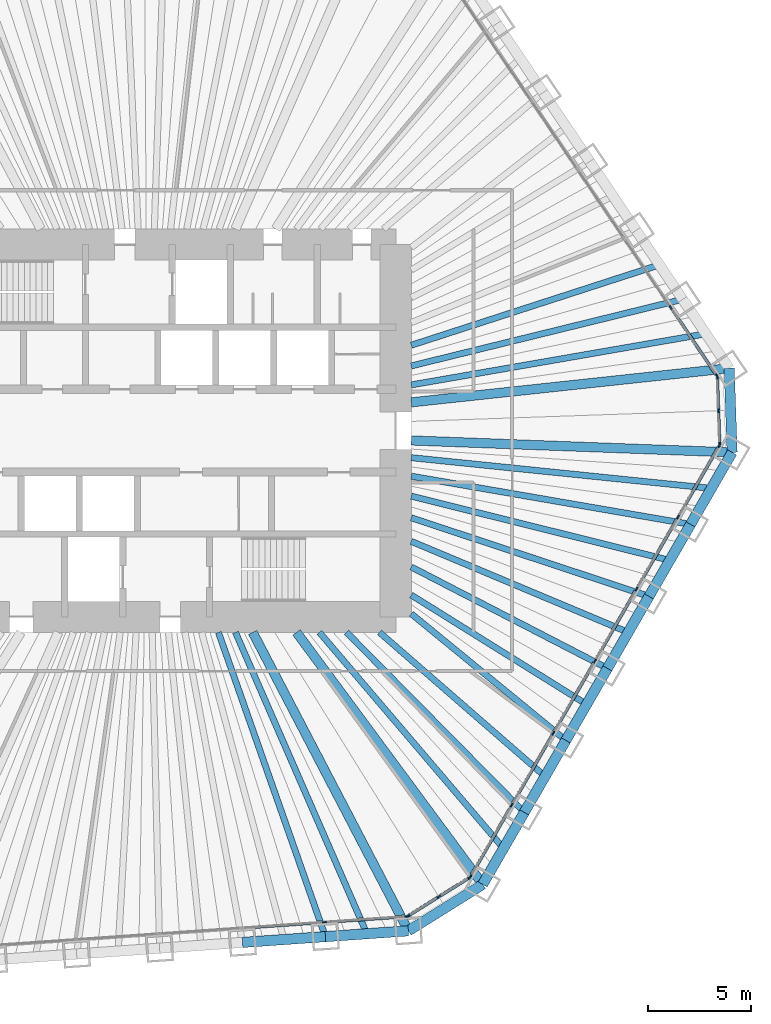
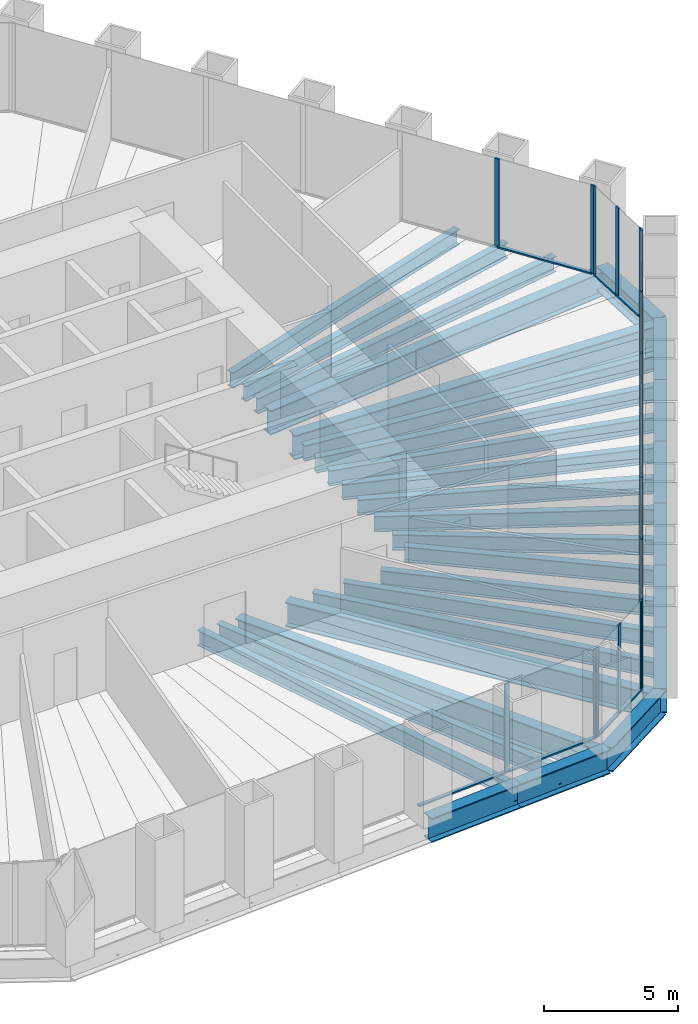
# One storey, part 4 of 13: 30 beams, 30 members, 5 elements without a shape of their own.
"""IFC4 building model written with IfcOpenShell, lengths in metres."""

from ifc_helpers import new_model, si_unit, direction, frame, origin, origin_2d, place, context, subcontext, project, spatial, rectangle, i_section, extrude, material, material_profile, profile_set, type_object, element, aggregate, save


model = new_model("IFC4")

# Units and contexts
model_context = context("Model", 3, precision=1e-05, world=origin(), true_north=direction((0.0, 1.0)))
body_context = subcontext(model_context, "Body", "Model", "MODEL_VIEW")
ifc_project = project(units=[si_unit("LENGTHUNIT", "METRE"), si_unit("AREAUNIT", "SQUARE_METRE"), si_unit("VOLUMEUNIT", "CUBIC_METRE"), si_unit("PLANEANGLEUNIT", "RADIAN"), si_unit("MASSUNIT", "GRAM", prefix="KILO")], contexts=[model_context])

# Site, building, storey
site_placement = place(None, origin())
site = spatial("IfcSite", under=ifc_project, at=site_placement, CompositionType="ELEMENT")
building_placement = place(site_placement, origin())
building = spatial("IfcBuilding", under=site, at=building_placement, Name="Qingtian Harvest Tower", CompositionType="ELEMENT")
storey_placement = place(building_placement, frame((0.0, 0.0, 161.800048828125)))
storey = spatial("IfcBuildingStorey", under=building, at=storey_placement, Name="L34", CompositionType="ELEMENT", Elevation=161.800048828125)

# Beams
ifc_material_1 = material(Name="Steel SM570MC", Category="steel")
ifc_material_profile_1 = material_profile(ifc_material_1, i_section(OverallWidth=0.449951171875, OverallDepth=1.10009765625, WebThickness=0.02197265625, FlangeThickness=0.044921875, at=origin_2d()), Name="H1100x450x22x45")
ifc_profile_set_1 = profile_set([ifc_material_profile_1], Name="Steel SM570MC")
beam_type_1 = type_object("IfcBeamType", Name="Corner floor beam FB8 H1100x450x22x45", PredefinedType="BEAM", material=ifc_profile_set_1)
beam_1_placement = place(storey_placement, frame((28.119384765625, 3.0185546875, -0.719970703125), z_axis=(-0.994287324052, -0.106736672374, 0.0), x_axis=(0.106736672374, -0.994287324052, 0.0)))
element("IfcBeam", 1, at=beam_1_placement, inside=storey, type_object=beam_type_1, Name="Floor beam FB8 NE6", PredefinedType="BEAM", context=body_context, shape_type="SweptSolid", body=[
    extrude(i_section(OverallWidth=0.449951171875, OverallDepth=1.10009765625, WebThickness=0.02197265625, FlangeThickness=0.044921875, at=origin_2d()), origin(), (0.0, 0.0, 1.0), 15.457763671875),
])
beam_2_placement = place(storey_placement, frame((28.261474609375, -1.049560546875, -0.719970703125), z_axis=(-0.999311425285, 0.03710357523, 0.0), x_axis=(-0.03710357523, -0.999311425285, 0.0)))
element("IfcBeam", 2, at=beam_2_placement, inside=storey, type_object=beam_type_1, Name="Floor beam FB8 SE0", PredefinedType="BEAM", context=body_context, shape_type="SweptSolid", body=[
    extrude(i_section(OverallWidth=0.449951171875, OverallDepth=1.10009765625, WebThickness=0.02197265625, FlangeThickness=0.044921875, at=origin_2d()), origin(), (0.0, 0.0, 1.0), 15.522216796875),
])
beam_3_placement = place(storey_placement, frame((16.204345703125, -21.933349609375, -0.719970703125), z_axis=(-0.594215666968, 0.804305751023, 0.0), x_axis=(-0.804305751023, -0.594215666968, 0.0)))
element("IfcBeam", 3, at=beam_3_placement, inside=storey, type_object=beam_type_1, Name="Floor beam FB8 SE6", PredefinedType="BEAM", context=body_context, shape_type="SweptSolid", body=[
    extrude(i_section(OverallWidth=0.449951171875, OverallDepth=1.10009765625, WebThickness=0.02197265625, FlangeThickness=0.044921875, at=origin_2d()), origin(), (0.0, 0.0, 1.0), 15.147705078125),
])
beam_4_placement = place(storey_placement, frame((12.610107421875, -24.17919921875, -0.719970703125), z_axis=(-0.462414751295, 0.886663745613, 0.0), x_axis=(-0.886663745613, -0.462414751295, 0.0)))
element("IfcBeam", 4, at=beam_4_placement, inside=storey, type_object=beam_type_1, Name="Floor beam FB8 S0", PredefinedType="BEAM", context=body_context, shape_type="SweptSolid", body=[
    extrude(i_section(OverallWidth=0.449951171875, OverallDepth=1.10009765625, WebThickness=0.02197265625, FlangeThickness=0.044921875, at=origin_2d()), origin(), (0.0, 0.0, 1.0), 16.273681640625),
])
ifc_material_2 = material(Name="Steel SN490B", Category="steel")
ifc_material_profile_2 = material_profile(ifc_material_2, i_section(OverallWidth=0.300048828125, OverallDepth=0.699951171875, WebThickness=0.012939453125, FlangeThickness=0.02392578125, at=origin_2d()), Name="H700x300x13x24")
ifc_profile_set_2 = profile_set([ifc_material_profile_2], Name="Steel SN490B")
beam_type_2 = type_object("IfcBeamType", Name="Floor beam FB2 H700x300x13x24", PredefinedType="BEAM", material=ifc_profile_set_2)
beam_5_placement = place(storey_placement, frame((25.8720703125, 6.3505859375, -0.52001953125), z_axis=(-0.971170997483, -0.2383839207, 0.0), x_axis=(0.2383839207, -0.971170997483, 0.0)))
element("IfcBeam", 5, at=beam_5_placement, inside=storey, type_object=beam_type_2, Name="Floor beam FB2 NE5", PredefinedType="BEAM", context=body_context, shape_type="SweptSolid", body=[
    extrude(i_section(OverallWidth=0.300048828125, OverallDepth=0.699951171875, WebThickness=0.012939453125, FlangeThickness=0.02392578125, at=origin_2d()), origin(), (0.0, 0.0, 1.0), 13.511474609375),
])
beam_6_placement = place(storey_placement, frame((26.251953125, -4.5302734375, -0.52001953125), z_axis=(-0.985433767107, 0.170059667895, 0.0), x_axis=(-0.170059667895, -0.985433767107, 0.0)))
element("IfcBeam", 6, at=beam_6_placement, inside=storey, type_object=beam_type_2, Name="Floor beam FB2 SE1", PredefinedType="BEAM", context=body_context, shape_type="SweptSolid", body=[
    extrude(i_section(OverallWidth=0.300048828125, OverallDepth=0.699951171875, WebThickness=0.012939453125, FlangeThickness=0.02392578125, at=origin_2d()), origin(), (0.0, 0.0, 1.0), 13.701416015625),
])
beam_7_placement = place(storey_placement, frame((24.242431640625, -8.010986328125, -0.52001953125), z_axis=(-0.949497047328, 0.31377596644, 0.0), x_axis=(-0.31377596644, -0.949497047328, 0.0)))
element("IfcBeam", 7, at=beam_7_placement, inside=storey, type_object=beam_type_2, Name="Floor beam FB2 SE2", PredefinedType="BEAM", context=body_context, shape_type="SweptSolid", body=[
    extrude(i_section(OverallWidth=0.300048828125, OverallDepth=0.699951171875, WebThickness=0.012939453125, FlangeThickness=0.02392578125, at=origin_2d()), origin(), (0.0, 0.0, 1.0), 12.103759765625),
])
beam_8_placement = place(storey_placement, frame((22.23291015625, -11.491455078125, -0.52001953125), z_axis=(-0.888354700773, 0.459157843899, 0.0), x_axis=(-0.459157843899, -0.888354700773, 0.0)))
element("IfcBeam", 8, at=beam_8_placement, inside=storey, type_object=beam_type_2, Name="Floor beam FB2 SE3", PredefinedType="BEAM", context=body_context, shape_type="SweptSolid", body=[
    extrude(i_section(OverallWidth=0.300048828125, OverallDepth=0.699951171875, WebThickness=0.012939453125, FlangeThickness=0.02392578125, at=origin_2d()), origin(), (0.0, 0.0, 1.0), 10.6748046875),
])
beam_9_placement = place(storey_placement, frame((20.223388671875, -14.97216796875, -0.52001953125), z_axis=(-0.773577716445, 0.633701441233, 0.0), x_axis=(-0.633701441233, -0.773577716445, 0.0)))
element("IfcBeam", 9, at=beam_9_placement, inside=storey, type_object=beam_type_2, Name="Floor beam FB2 SE4", PredefinedType="BEAM", context=body_context, shape_type="SweptSolid", body=[
    extrude(i_section(OverallWidth=0.300048828125, OverallDepth=0.699951171875, WebThickness=0.012939453125, FlangeThickness=0.02392578125, at=origin_2d()), origin(), (0.0, 0.0, 1.0), 9.660888671875),
])
beam_10_placement = place(storey_placement, frame((18.2138671875, -18.452880859375, -0.52001953125), z_axis=(-0.702479751847, 0.711703729262, 0.0), x_axis=(-0.711703729262, -0.702479751847, 0.0)))
element("IfcBeam", 10, at=beam_10_placement, inside=storey, type_object=beam_type_2, Name="Floor beam FB2 SE5", PredefinedType="BEAM", context=body_context, shape_type="SweptSolid", body=[
    extrude(i_section(OverallWidth=0.300048828125, OverallDepth=0.699951171875, WebThickness=0.012939453125, FlangeThickness=0.02392578125, at=origin_2d()), origin(), (0.0, 0.0, 1.0), 12.228271484375),
])
beam_11_placement = place(storey_placement, frame((8.600830078125, -24.459716796875, -0.52001953125), z_axis=(-0.331719146802, 0.943378189087, 0.0), x_axis=(-0.943378189087, -0.331719146802, 0.0)))
element("IfcBeam", 11, at=beam_11_placement, inside=storey, type_object=beam_type_2, Name="Floor beam FB2 S1", PredefinedType="BEAM", context=body_context, shape_type="SweptSolid", body=[
    extrude(i_section(OverallWidth=0.300048828125, OverallDepth=0.699951171875, WebThickness=0.012939453125, FlangeThickness=0.02392578125, at=origin_2d()), origin(), (0.0, 0.0, 1.0), 15.592529296875),
])
ifc_material_3 = material(Name="Steel SN490B", Category="steel")
ifc_material_profile_3 = material_profile(ifc_material_3, i_section(OverallWidth=0.300048828125, OverallDepth=0.699951171875, WebThickness=0.012939453125, FlangeThickness=0.02392578125, at=origin_2d()), Name="H700x300x13x24")
ifc_profile_set_3 = profile_set([ifc_material_profile_3], Name="Steel SN490B")
beam_type_3 = type_object("IfcBeamType", Name="Floor joist J2 H700x300x13x24", PredefinedType="JOIST", material=ifc_profile_set_3)
beam_12_placement = place(storey_placement, frame((24.748291015625, 8.016357421875, -0.52001953125), z_axis=(-0.951335907519, -0.308155790249, 0.0), x_axis=(0.308155790249, -0.951335907519, 0.0)))
element("IfcBeam", 12, at=beam_12_placement, inside=storey, type_object=beam_type_3, Name="Floor joist J2 NE4", PredefinedType="JOIST", context=body_context, shape_type="SweptSolid", body=[
    extrude(i_section(OverallWidth=0.300048828125, OverallDepth=0.699951171875, WebThickness=0.012939453125, FlangeThickness=0.02392578125, at=origin_2d()), origin(), (0.0, 0.0, 1.0), 12.612060546875),
])
beam_13_placement = place(storey_placement, frame((26.99560546875, 4.6845703125, -0.52001953125), z_axis=(-0.985273903188, -0.17098343691, 0.0), x_axis=(0.17098343691, -0.985273903188, 0.0)))
element("IfcBeam", 13, at=beam_13_placement, inside=storey, type_object=beam_type_3, Name="Floor joist J2 NE5", PredefinedType="JOIST", context=body_context, shape_type="SweptSolid", body=[
    extrude(i_section(OverallWidth=0.300048828125, OverallDepth=0.699951171875, WebThickness=0.012939453125, FlangeThickness=0.02392578125, at=origin_2d()), origin(), (0.0, 0.0, 1.0), 14.45849609375),
])
beam_14_placement = place(storey_placement, frame((27.2568359375, -2.7900390625, -0.52001953125), z_axis=(-0.994802418411, 0.101824104826, 0.0), x_axis=(-0.101824104826, -0.994802418411, 0.0)))
element("IfcBeam", 14, at=beam_14_placement, inside=storey, type_object=beam_type_3, Name="Floor joist J2 SE0", PredefinedType="JOIST", context=body_context, shape_type="SweptSolid", body=[
    extrude(i_section(OverallWidth=0.300048828125, OverallDepth=0.699951171875, WebThickness=0.012939453125, FlangeThickness=0.02392578125, at=origin_2d()), origin(), (0.0, 0.0, 1.0), 14.58251953125),
])
beam_15_placement = place(storey_placement, frame((25.247314453125, -6.2705078125, -0.52001953125), z_axis=(-0.970517179244, 0.241031958032, 0.0), x_axis=(-0.241031958032, -0.970517179244, 0.0)))
element("IfcBeam", 15, at=beam_15_placement, inside=storey, type_object=beam_type_3, Name="Floor joist J2 SE1", PredefinedType="JOIST", context=body_context, shape_type="SweptSolid", body=[
    extrude(i_section(OverallWidth=0.300048828125, OverallDepth=0.699951171875, WebThickness=0.012939453125, FlangeThickness=0.02392578125, at=origin_2d()), origin(), (0.0, 0.0, 1.0), 12.876953125),
])
beam_16_placement = place(storey_placement, frame((23.237548828125, -9.751220703125, -0.52001953125), z_axis=(-0.922104219626, 0.386941608189, 0.0), x_axis=(-0.386941608189, -0.922104219626, 0.0)))
element("IfcBeam", 16, at=beam_16_placement, inside=storey, type_object=beam_type_3, Name="Floor joist J2 SE2", PredefinedType="JOIST", context=body_context, shape_type="SweptSolid", body=[
    extrude(i_section(OverallWidth=0.300048828125, OverallDepth=0.699951171875, WebThickness=0.012939453125, FlangeThickness=0.02392578125, at=origin_2d()), origin(), (0.0, 0.0, 1.0), 11.37353515625),
])
beam_17_placement = place(storey_placement, frame((21.22802734375, -13.23193359375, -0.52001953125), z_axis=(-0.848631984892, 0.528983699389, 0.0), x_axis=(-0.528983699389, -0.848631984892, 0.0)))
element("IfcBeam", 17, at=beam_17_placement, inside=storey, type_object=beam_type_3, Name="Floor joist J2 SE3", PredefinedType="JOIST", context=body_context, shape_type="SweptSolid", body=[
    extrude(i_section(OverallWidth=0.300048828125, OverallDepth=0.699951171875, WebThickness=0.012939453125, FlangeThickness=0.02392578125, at=origin_2d()), origin(), (0.0, 0.0, 1.0), 9.990234375),
])
beam_18_placement = place(storey_placement, frame((19.218505859375, -16.71240234375, -0.52001953125), z_axis=(-0.754588679317, 0.656198083697, 0.0), x_axis=(-0.656198083697, -0.754588679317, 0.0)))
element("IfcBeam", 18, at=beam_18_placement, inside=storey, type_object=beam_type_3, Name="Floor joist J2 SE4", PredefinedType="JOIST", context=body_context, shape_type="SweptSolid", body=[
    extrude(i_section(OverallWidth=0.300048828125, OverallDepth=0.699951171875, WebThickness=0.012939453125, FlangeThickness=0.02392578125, at=origin_2d()), origin(), (0.0, 0.0, 1.0), 10.610107421875),
])
beam_19_placement = place(storey_placement, frame((17.208984375, -20.193115234375, -0.52001953125), z_axis=(-0.648631797865, 0.76110235238, 0.0), x_axis=(-0.76110235238, -0.648631797865, 0.0)))
element("IfcBeam", 19, at=beam_19_placement, inside=storey, type_object=beam_type_3, Name="Floor joist J2 SE5", PredefinedType="JOIST", context=body_context, shape_type="SweptSolid", body=[
    extrude(i_section(OverallWidth=0.300048828125, OverallDepth=0.699951171875, WebThickness=0.012939453125, FlangeThickness=0.02392578125, at=origin_2d()), origin(), (0.0, 0.0, 1.0), 13.720947265625),
])
beam_20_placement = place(storey_placement, frame((10.60546875, -24.3193359375, -0.52001953125), z_axis=(-0.399732363577, 0.916631898588, 0.0), x_axis=(-0.916631898588, -0.399732363577, 0.0)))
element("IfcBeam", 20, at=beam_20_placement, inside=storey, type_object=beam_type_3, Name="Floor joist J2 S0", PredefinedType="JOIST", context=body_context, shape_type="SweptSolid", body=[
    extrude(i_section(OverallWidth=0.300048828125, OverallDepth=0.699951171875, WebThickness=0.012939453125, FlangeThickness=0.02392578125, at=origin_2d()), origin(), (0.0, 0.0, 1.0), 15.89453125),
])

# Curtain wall, members
ifc_material_4 = material(Name="Bronze-anodised aluminium curtain wall", Category="aluminium")
curtain_wall_type = type_object("IfcCurtainWallType", Name="Curtain wall CW4 office", PredefinedType="USERDEFINED", material=ifc_material_4)
curtain_wall_1_placement = place(storey_placement, origin())
curtain_wall_1 = element("IfcCurtainWall", 21, at=curtain_wall_1_placement, inside=storey, type_object=curtain_wall_type, Name="Curtain wall CW4 L34 NE0-5", ObjectType="RECESSED CURTAIN WALL", PredefinedType="USERDEFINED")
ifc_material_5 = material(Name="Bronze-anodised aluminium mullion", Category="aluminium")
ifc_material_profile_4 = material_profile(ifc_material_5, rectangle(XDim=0.06494140625, YDim=0.199951171875, at=origin_2d()), Name="AL 65x200")
ifc_profile_set_4 = profile_set([ifc_material_profile_4], Name="Bronze-anodised aluminium mullion")
member_type_1 = type_object("IfcMemberType", Name="Mullion CWM 65x200", PredefinedType="MULLION", material=ifc_profile_set_4)
member_1_placement = place(storey_placement, frame((25.291748046875, 5.958984375, 0.0), z_axis=(0.0, 0.0, 1.0), x_axis=(0.829037572555, 0.559192903471, 0.0)))
member_1 = element("IfcMember", 22, at=member_1_placement, type_object=member_type_1, Name="CW4 mullion 6", PredefinedType="MULLION", context=body_context, shape_type="SweptSolid", body=[
    extrude(rectangle(XDim=0.06494140625, YDim=0.199951171875, at=origin_2d()), origin(), (0.0, 0.0, 1.0), 4.030029296875),
])
member_2_placement = place(storey_placement, frame((27.52099609375, 2.654052734375, 0.0), z_axis=(0.0, 0.0, 1.0), x_axis=(0.829037572555, 0.559192903471, 0.0)))
member_2 = element("IfcMember", 23, at=member_2_placement, type_object=member_type_1, Name="CW4 mullion 7", PredefinedType="MULLION", context=body_context, shape_type="SweptSolid", body=[
    extrude(rectangle(XDim=0.06494140625, YDim=0.199951171875, at=origin_2d()), origin(), (0.0, 0.0, 1.0), 4.030029296875),
])

curtain_wall_2_placement = place(storey_placement, origin())
curtain_wall_2 = element("IfcCurtainWall", 24, at=curtain_wall_2_placement, inside=storey, type_object=curtain_wall_type, Name="Curtain wall CW4 L34 NEC", ObjectType="RECESSED CURTAIN WALL", PredefinedType="USERDEFINED")
member_3_placement = place(storey_placement, frame((27.540283203125, 2.594482421875, 0.0), z_axis=(0.0, 0.0, 1.0), x_axis=(0.999390827019, 0.034899496703, 0.0)))
member_3 = element("IfcMember", 25, at=member_3_placement, type_object=member_type_1, Name="CW4 mullion 1", PredefinedType="MULLION", context=body_context, shape_type="SweptSolid", body=[
    extrude(rectangle(XDim=0.06494140625, YDim=0.199951171875, at=origin_2d()), origin(), (0.0, 0.0, 1.0), 4.030029296875),
])
member_4_placement = place(storey_placement, frame((27.59716796875, 0.963623046875, 0.0), z_axis=(0.0, 0.0, 1.0), x_axis=(0.999390827019, 0.034899496703, 0.0)))
member_4 = element("IfcMember", 26, at=member_4_placement, type_object=member_type_1, Name="CW4 mullion 2", PredefinedType="MULLION", context=body_context, shape_type="SweptSolid", body=[
    extrude(rectangle(XDim=0.06494140625, YDim=0.199951171875, at=origin_2d()), origin(), (0.0, 0.0, 1.0), 4.030029296875),
])
member_5_placement = place(storey_placement, frame((27.654052734375, -0.667236328125, 0.0), z_axis=(0.0, 0.0, 1.0), x_axis=(0.999390827019, 0.034899496703, 0.0)))
member_5 = element("IfcMember", 27, at=member_5_placement, type_object=member_type_1, Name="CW4 mullion 3", PredefinedType="MULLION", context=body_context, shape_type="SweptSolid", body=[
    extrude(rectangle(XDim=0.06494140625, YDim=0.199951171875, at=origin_2d()), origin(), (0.0, 0.0, 1.0), 4.030029296875),
])

curtain_wall_3_placement = place(storey_placement, origin())
curtain_wall_3 = element("IfcCurtainWall", 28, at=curtain_wall_3_placement, inside=storey, type_object=curtain_wall_type, Name="Curtain wall CW4 L34 SE0-5", ObjectType="RECESSED CURTAIN WALL", PredefinedType="USERDEFINED")
member_6_placement = place(storey_placement, frame((27.638916015625, -0.727783203125, 0.0), z_axis=(0.0, 0.0, 1.0), x_axis=(0.866025403784, -0.5, 0.0)))
member_6 = element("IfcMember", 29, at=member_6_placement, type_object=member_type_1, Name="CW4 mullion 1", PredefinedType="MULLION", context=body_context, shape_type="SweptSolid", body=[
    extrude(rectangle(XDim=0.06494140625, YDim=0.199951171875, at=origin_2d()), origin(), (0.0, 0.0, 1.0), 4.030029296875),
])
member_7_placement = place(storey_placement, frame((25.645751953125, -4.18017578125, 0.0), z_axis=(0.0, 0.0, 1.0), x_axis=(0.866025403784, -0.5, 0.0)))
member_7 = element("IfcMember", 30, at=member_7_placement, type_object=member_type_1, Name="CW4 mullion 2", PredefinedType="MULLION", context=body_context, shape_type="SweptSolid", body=[
    extrude(rectangle(XDim=0.06494140625, YDim=0.199951171875, at=origin_2d()), origin(), (0.0, 0.0, 1.0), 4.030029296875),
])
member_8_placement = place(storey_placement, frame((23.63623046875, -7.660888671875, 0.0), z_axis=(0.0, 0.0, 1.0), x_axis=(0.866025403784, -0.5, 0.0)))
member_8 = element("IfcMember", 31, at=member_8_placement, type_object=member_type_1, Name="CW4 mullion 3", PredefinedType="MULLION", context=body_context, shape_type="SweptSolid", body=[
    extrude(rectangle(XDim=0.06494140625, YDim=0.199951171875, at=origin_2d()), origin(), (0.0, 0.0, 1.0), 4.030029296875),
])
member_9_placement = place(storey_placement, frame((21.626708984375, -11.1416015625, 0.0), z_axis=(0.0, 0.0, 1.0), x_axis=(0.866025403784, -0.5, 0.0)))
member_9 = element("IfcMember", 32, at=member_9_placement, type_object=member_type_1, Name="CW4 mullion 4", PredefinedType="MULLION", context=body_context, shape_type="SweptSolid", body=[
    extrude(rectangle(XDim=0.06494140625, YDim=0.199951171875, at=origin_2d()), origin(), (0.0, 0.0, 1.0), 4.030029296875),
])
member_10_placement = place(storey_placement, frame((19.6171875, -14.6220703125, 0.0), z_axis=(0.0, 0.0, 1.0), x_axis=(0.866025403784, -0.5, 0.0)))
member_10 = element("IfcMember", 33, at=member_10_placement, type_object=member_type_1, Name="CW4 mullion 5", PredefinedType="MULLION", context=body_context, shape_type="SweptSolid", body=[
    extrude(rectangle(XDim=0.06494140625, YDim=0.199951171875, at=origin_2d()), origin(), (0.0, 0.0, 1.0), 4.030029296875),
])
member_11_placement = place(storey_placement, frame((17.607666015625, -18.102783203125, 0.0), z_axis=(0.0, 0.0, 1.0), x_axis=(0.866025403784, -0.5, 0.0)))
member_11 = element("IfcMember", 34, at=member_11_placement, type_object=member_type_1, Name="CW4 mullion 6", PredefinedType="MULLION", context=body_context, shape_type="SweptSolid", body=[
    extrude(rectangle(XDim=0.06494140625, YDim=0.199951171875, at=origin_2d()), origin(), (0.0, 0.0, 1.0), 4.030029296875),
])
member_12_placement = place(storey_placement, frame((15.6142578125, -21.55517578125, 0.0), z_axis=(0.0, 0.0, 1.0), x_axis=(0.866025403784, -0.5, 0.0)))
member_12 = element("IfcMember", 35, at=member_12_placement, type_object=member_type_1, Name="CW4 mullion 7", PredefinedType="MULLION", context=body_context, shape_type="SweptSolid", body=[
    extrude(rectangle(XDim=0.06494140625, YDim=0.199951171875, at=origin_2d()), origin(), (0.0, 0.0, 1.0), 4.030029296875),
])

curtain_wall_4_placement = place(storey_placement, origin())
curtain_wall_4 = element("IfcCurtainWall", 36, at=curtain_wall_4_placement, inside=storey, type_object=curtain_wall_type, Name="Curtain wall CW4 L34 SEC", ObjectType="RECESSED CURTAIN WALL", PredefinedType="USERDEFINED")
member_13_placement = place(storey_placement, frame((15.570556640625, -21.6005859375, 0.0), z_axis=(0.0, 0.0, 1.0), x_axis=(0.529919264233, -0.848048096156, 0.0)))
member_13 = element("IfcMember", 37, at=member_13_placement, type_object=member_type_1, Name="CW4 mullion 1", PredefinedType="MULLION", context=body_context, shape_type="SweptSolid", body=[
    extrude(rectangle(XDim=0.06494140625, YDim=0.199951171875, at=origin_2d()), origin(), (0.0, 0.0, 1.0), 4.030029296875),
])
member_14_placement = place(storey_placement, frame((14.07958984375, -22.5322265625, 0.0), z_axis=(0.0, 0.0, 1.0), x_axis=(0.529919264233, -0.848048096156, 0.0)))
member_14 = element("IfcMember", 38, at=member_14_placement, type_object=member_type_1, Name="CW4 mullion 2", PredefinedType="MULLION", context=body_context, shape_type="SweptSolid", body=[
    extrude(rectangle(XDim=0.06494140625, YDim=0.199951171875, at=origin_2d()), origin(), (0.0, 0.0, 1.0), 4.030029296875),
])
member_15_placement = place(storey_placement, frame((12.5888671875, -23.4638671875, 0.0), z_axis=(0.0, 0.0, 1.0), x_axis=(0.529919264233, -0.848048096156, 0.0)))
member_15 = element("IfcMember", 39, at=member_15_placement, type_object=member_type_1, Name="CW4 mullion 3", PredefinedType="MULLION", context=body_context, shape_type="SweptSolid", body=[
    extrude(rectangle(XDim=0.06494140625, YDim=0.199951171875, at=origin_2d()), origin(), (0.0, 0.0, 1.0), 4.030029296875),
])

curtain_wall_5_placement = place(storey_placement, origin())
curtain_wall_5 = element("IfcCurtainWall", 40, at=curtain_wall_5_placement, inside=storey, type_object=curtain_wall_type, Name="Curtain wall CW4 L34 S0-5", ObjectType="RECESSED CURTAIN WALL", PredefinedType="USERDEFINED")
member_16_placement = place(storey_placement, frame((12.52880859375, -23.483154296875, 0.0), z_axis=(0.0, 0.0, 1.0), x_axis=(0.069756473744, -0.99756405026, 0.0)))
member_16 = element("IfcMember", 41, at=member_16_placement, type_object=member_type_1, Name="CW4 mullion 1", PredefinedType="MULLION", context=body_context, shape_type="SweptSolid", body=[
    extrude(rectangle(XDim=0.06494140625, YDim=0.199951171875, at=origin_2d()), origin(), (0.0, 0.0, 1.0), 4.030029296875),
])
member_17_placement = place(storey_placement, frame((8.552001953125, -23.76123046875, 0.0), z_axis=(0.0, 0.0, 1.0), x_axis=(0.069756473744, -0.99756405026, 0.0)))
member_17 = element("IfcMember", 42, at=member_17_placement, type_object=member_type_1, Name="CW4 mullion 2", PredefinedType="MULLION", context=body_context, shape_type="SweptSolid", body=[
    extrude(rectangle(XDim=0.06494140625, YDim=0.199951171875, at=origin_2d()), origin(), (0.0, 0.0, 1.0), 4.030029296875),
])

# Beams
ifc_material_6 = material(Name="Steel SM570MC", Category="steel")
ifc_material_profile_5 = material_profile(ifc_material_6, i_section(OverallWidth=0.5, OverallDepth=1.10009765625, WebThickness=0.02490234375, FlangeThickness=0.050048828125, at=origin_2d()), Name="H1100x500x25x50")
ifc_profile_set_5 = profile_set([ifc_material_profile_5], Name="Steel SM570MC")
beam_type_4 = type_object("IfcBeamType", Name="Spandrel beam SB2 H1100x500x25x50", PredefinedType="SPANDREL", material=ifc_profile_set_5)
beam_21_placement = place(storey_placement, frame((28.119384765625, 3.0185546875, -0.550048828125), z_axis=(0.03490639867, -0.999390585973, 0.0), x_axis=(0.999390585973, 0.03490639867, 0.0)))
element("IfcBeam", 43, at=beam_21_placement, inside=storey, type_object=beam_type_4, Name="Spandrel SB2 NEC", PredefinedType="SPANDREL", context=body_context, shape_type="SweptSolid", body=[
    extrude(i_section(OverallWidth=0.5, OverallDepth=1.10009765625, WebThickness=0.02490234375, FlangeThickness=0.050048828125, at=origin_2d()), origin(), (0.0, 0.0, 1.0), 4.070556640625),
])
for number, where, z_axis, x_axis, name in (
    (44, (28.261474609375, -1.049560546875, -0.550048828125), (-0.499987116613, -0.866032841884, 0.0), (0.866032841884, -0.499987116613, 0.0), "Spandrel SB2 SE0"),
    (45, (26.251953125, -4.5302734375, -0.550048828125), (-0.499987116613, -0.866032841884, 0.0), (0.866032841884, -0.499987116613, 0.0), "Spandrel SB2 SE1"),
    (46, (24.242431640625, -8.010986328125, -0.550048828125), (-0.500013420409, -0.866017655369, 0.0), (0.866017655369, -0.500013420409, 0.0), "Spandrel SB2 SE2"),
    (47, (22.23291015625, -11.491455078125, -0.550048828125), (-0.499987116613, -0.866032841884, 0.0), (0.866032841884, -0.499987116613, 0.0), "Spandrel SB2 SE3"),
    (48, (20.223388671875, -14.97216796875, -0.550048828125), (-0.499987116613, -0.866032841884, 0.0), (0.866032841884, -0.499987116613, 0.0), "Spandrel SB2 SE4"),
    (49, (18.2138671875, -18.452880859375, -0.550048828125), (-0.500013420409, -0.866017655369, 0.0), (0.866017655369, -0.500013420409, 0.0), "Spandrel SB2 SE5"),
):
    element("IfcBeam", number, at=place(storey_placement, frame(where, z_axis=z_axis, x_axis=x_axis)), inside=storey, type_object=beam_type_4, Name=name, PredefinedType="SPANDREL", context=body_context, shape_type="SweptSolid", body=[
        extrude(i_section(OverallWidth=0.5, OverallDepth=1.10009765625, WebThickness=0.02490234375, FlangeThickness=0.050048828125, at=origin_2d()), origin(), (0.0, 0.0, 1.0), 4.01904296875),
    ])
beam_22_placement = place(storey_placement, frame((16.204345703125, -21.933349609375, -0.550048828125), z_axis=(-0.848056550838, -0.529905733675, 0.0), x_axis=(0.529905733675, -0.848056550838, 0.0)))
element("IfcBeam", 50, at=beam_22_placement, inside=storey, type_object=beam_type_4, Name="Spandrel SB2 SEC", PredefinedType="SPANDREL", context=body_context, shape_type="SweptSolid", body=[
    extrude(i_section(OverallWidth=0.5, OverallDepth=1.10009765625, WebThickness=0.02490234375, FlangeThickness=0.050048828125, at=origin_2d()), origin(), (0.0, 0.0, 1.0), 4.23828125),
])
for number, where, z_axis, x_axis, name in (
    (51, (12.610107421875, -24.17919921875, -0.550048828125), (-0.997561251588, -0.069796485086, 0.0), (0.069796485086, -0.997561251588, 0.0), "Spandrel SB2 S0"),
    (52, (8.600830078125, -24.459716796875, -0.550048828125), (-0.997565479251, -0.069736035208, 0.0), (0.069736035208, -0.997565479251, 0.0), "Spandrel SB2 S1"),
):
    element("IfcBeam", number, at=place(storey_placement, frame(where, z_axis=z_axis, x_axis=x_axis)), inside=storey, type_object=beam_type_4, Name=name, PredefinedType="SPANDREL", context=body_context, shape_type="SweptSolid", body=[
        extrude(i_section(OverallWidth=0.5, OverallDepth=1.10009765625, WebThickness=0.02490234375, FlangeThickness=0.050048828125, at=origin_2d()), origin(), (0.0, 0.0, 1.0), 4.01904296875),
    ])

# Member
ifc_material_7 = material(Name="Bronze-anodised aluminium transom", Category="aluminium")
ifc_material_profile_6 = material_profile(ifc_material_7, rectangle(XDim=0.14990234375, YDim=0.06494140625, at=origin_2d()), Name="AL 65x150")
ifc_profile_set_6 = profile_set([ifc_material_profile_6], Name="Bronze-anodised aluminium transom")
member_type_2 = type_object("IfcMemberType", Name="Transom CWT 65x150", PredefinedType="USERDEFINED", material=ifc_profile_set_6)
member_18_placement = place(storey_placement, frame((25.309814453125, 5.93212890625, 0.032470703125), z_axis=(0.559174507936, -0.829049980203, 0.0), x_axis=(0.829049980203, 0.559174507936, 0.0)))
member_18 = element("IfcMember", 53, at=member_18_placement, type_object=member_type_2, Name="CW4 transom 6.1", ObjectType="TRANSOM", PredefinedType="USERDEFINED", context=body_context, shape_type="SweptSolid", body=[
    extrude(rectangle(XDim=0.14990234375, YDim=0.06494140625, at=origin_2d()), origin(), (0.0, 0.0, 1.0), 3.921630859375),
])

aggregate(curtain_wall_1, [member_1, member_2, member_18])

member_19_placement = place(storey_placement, frame((27.541259765625, 2.56201171875, 0.032470703125), z_axis=(0.034902326647, -0.999390728191, 0.0), x_axis=(0.999390728191, 0.034902326647, 0.0)))
member_19 = element("IfcMember", 54, at=member_19_placement, type_object=member_type_2, Name="CW4 transom 1.1", ObjectType="TRANSOM", PredefinedType="USERDEFINED", context=body_context, shape_type="SweptSolid", body=[
    extrude(rectangle(XDim=0.14990234375, YDim=0.06494140625, at=origin_2d()), origin(), (0.0, 0.0, 1.0), 1.56689453125),
])

member_20_placement = place(storey_placement, frame((27.598388671875, 0.93115234375, 0.032470703125), z_axis=(0.034902326647, -0.999390728191, 0.0), x_axis=(0.999390728191, 0.034902326647, 0.0)))
member_20 = element("IfcMember", 55, at=member_20_placement, type_object=member_type_2, Name="CW4 transom 2.1", ObjectType="TRANSOM", PredefinedType="USERDEFINED", context=body_context, shape_type="SweptSolid", body=[
    extrude(rectangle(XDim=0.14990234375, YDim=0.06494140625, at=origin_2d()), origin(), (0.0, 0.0, 1.0), 1.56689453125),
])

aggregate(curtain_wall_2, [member_3, member_4, member_5, member_19, member_20])

member_21_placement = place(storey_placement, frame((27.622802734375, -0.755859375, 0.032470703125), z_axis=(-0.499975738995, -0.866039410429, 0.0), x_axis=(0.866039410429, -0.499975738995, 0.0)))
member_21 = element("IfcMember", 56, at=member_21_placement, type_object=member_type_2, Name="CW4 transom 1.1", ObjectType="TRANSOM", PredefinedType="USERDEFINED", context=body_context, shape_type="SweptSolid", body=[
    extrude(rectangle(XDim=0.14990234375, YDim=0.06494140625, at=origin_2d()), origin(), (0.0, 0.0, 1.0), 3.921630859375),
])

member_22_placement = place(storey_placement, frame((25.62939453125, -4.20849609375, 0.032470703125), z_axis=(-0.500003941941, -0.866023127892, 0.0), x_axis=(0.866023127892, -0.500003941941, 0.0)))
member_22 = element("IfcMember", 57, at=member_22_placement, type_object=member_type_2, Name="CW4 transom 2.1", ObjectType="TRANSOM", PredefinedType="USERDEFINED", context=body_context, shape_type="SweptSolid", body=[
    extrude(rectangle(XDim=0.14990234375, YDim=0.06494140625, at=origin_2d()), origin(), (0.0, 0.0, 1.0), 3.9541015625),
])

member_23_placement = place(storey_placement, frame((23.619873046875, -7.68896484375, 0.032470703125), z_axis=(-0.500003941941, -0.866023127892, 0.0), x_axis=(0.866023127892, -0.500003941941, 0.0)))
member_23 = element("IfcMember", 58, at=member_23_placement, type_object=member_type_2, Name="CW4 transom 3.1", ObjectType="TRANSOM", PredefinedType="USERDEFINED", context=body_context, shape_type="SweptSolid", body=[
    extrude(rectangle(XDim=0.14990234375, YDim=0.06494140625, at=origin_2d()), origin(), (0.0, 0.0, 1.0), 3.9541015625),
])

member_24_placement = place(storey_placement, frame((21.6103515625, -11.169677734375, 0.032470703125), z_axis=(-0.500003941941, -0.866023127892, 0.0), x_axis=(0.866023127892, -0.500003941941, 0.0)))
member_24 = element("IfcMember", 59, at=member_24_placement, type_object=member_type_2, Name="CW4 transom 4.1", ObjectType="TRANSOM", PredefinedType="USERDEFINED", context=body_context, shape_type="SweptSolid", body=[
    extrude(rectangle(XDim=0.14990234375, YDim=0.06494140625, at=origin_2d()), origin(), (0.0, 0.0, 1.0), 3.9541015625),
])

member_25_placement = place(storey_placement, frame((19.600830078125, -14.650390625, 0.032470703125), z_axis=(-0.500003941941, -0.866023127892, 0.0), x_axis=(0.866023127892, -0.500003941941, 0.0)))
member_25 = element("IfcMember", 60, at=member_25_placement, type_object=member_type_2, Name="CW4 transom 5.1", ObjectType="TRANSOM", PredefinedType="USERDEFINED", context=body_context, shape_type="SweptSolid", body=[
    extrude(rectangle(XDim=0.14990234375, YDim=0.06494140625, at=origin_2d()), origin(), (0.0, 0.0, 1.0), 3.9541015625),
])

member_26_placement = place(storey_placement, frame((17.59130859375, -18.130859375, 0.032470703125), z_axis=(-0.499975738995, -0.866039410429, 0.0), x_axis=(0.866039410429, -0.499975738995, 0.0)))
member_26 = element("IfcMember", 61, at=member_26_placement, type_object=member_type_2, Name="CW4 transom 6.1", ObjectType="TRANSOM", PredefinedType="USERDEFINED", context=body_context, shape_type="SweptSolid", body=[
    extrude(rectangle(XDim=0.14990234375, YDim=0.06494140625, at=origin_2d()), origin(), (0.0, 0.0, 1.0), 3.921630859375),
])

aggregate(curtain_wall_3, [member_6, member_7, member_8, member_9, member_10, member_11, member_12, member_21, member_22, member_23, member_24, member_25, member_26])

member_27_placement = place(storey_placement, frame((15.54296875, -21.617919921875, 0.032470703125), z_axis=(-0.848103609743, -0.529830413568, 0.0), x_axis=(0.529830413568, -0.848103609743, 0.0)))
member_27 = element("IfcMember", 62, at=member_27_placement, type_object=member_type_2, Name="CW4 transom 1.1", ObjectType="TRANSOM", PredefinedType="USERDEFINED", context=body_context, shape_type="SweptSolid", body=[
    extrude(rectangle(XDim=0.14990234375, YDim=0.06494140625, at=origin_2d()), origin(), (0.0, 0.0, 1.0), 1.69287109375),
])

member_28_placement = place(storey_placement, frame((14.052001953125, -22.54931640625, 0.032470703125), z_axis=(-0.847998304005, -0.529998940003, 0.0), x_axis=(0.529998940003, -0.847998304005, 0.0)))
member_28 = element("IfcMember", 63, at=member_28_placement, type_object=member_type_2, Name="CW4 transom 2.1", ObjectType="TRANSOM", PredefinedType="USERDEFINED", context=body_context, shape_type="SweptSolid", body=[
    extrude(rectangle(XDim=0.14990234375, YDim=0.06494140625, at=origin_2d()), origin(), (0.0, 0.0, 1.0), 1.69287109375),
])

aggregate(curtain_wall_4, [member_13, member_14, member_15, member_27, member_28])

member_29_placement = place(storey_placement, frame((12.496337890625, -23.485595703125, 0.032470703125), z_axis=(-0.99756594446, -0.069729380128, 0.0), x_axis=(0.069729380128, -0.99756594446, 0.0)))
member_29 = element("IfcMember", 64, at=member_29_placement, type_object=member_type_2, Name="CW4 transom 1.1", ObjectType="TRANSOM", PredefinedType="USERDEFINED", context=body_context, shape_type="SweptSolid", body=[
    extrude(rectangle(XDim=0.14990234375, YDim=0.06494140625, at=origin_2d()), origin(), (0.0, 0.0, 1.0), 3.92138671875),
])

member_30_placement = place(storey_placement, frame((8.51953125, -23.763671875, 0.032470703125), z_axis=(-0.997567218353, -0.069711153102, 0.0), x_axis=(0.069711153102, -0.997567218353, 0.0)))
member_30 = element("IfcMember", 65, at=member_30_placement, type_object=member_type_2, Name="CW4 transom 2.1", ObjectType="TRANSOM", PredefinedType="USERDEFINED", context=body_context, shape_type="SweptSolid", body=[
    extrude(rectangle(XDim=0.14990234375, YDim=0.06494140625, at=origin_2d()), origin(), (0.0, 0.0, 1.0), 3.953857421875),
])

aggregate(curtain_wall_5, [member_16, member_17, member_29, member_30])

save(model, "model.ifc")
